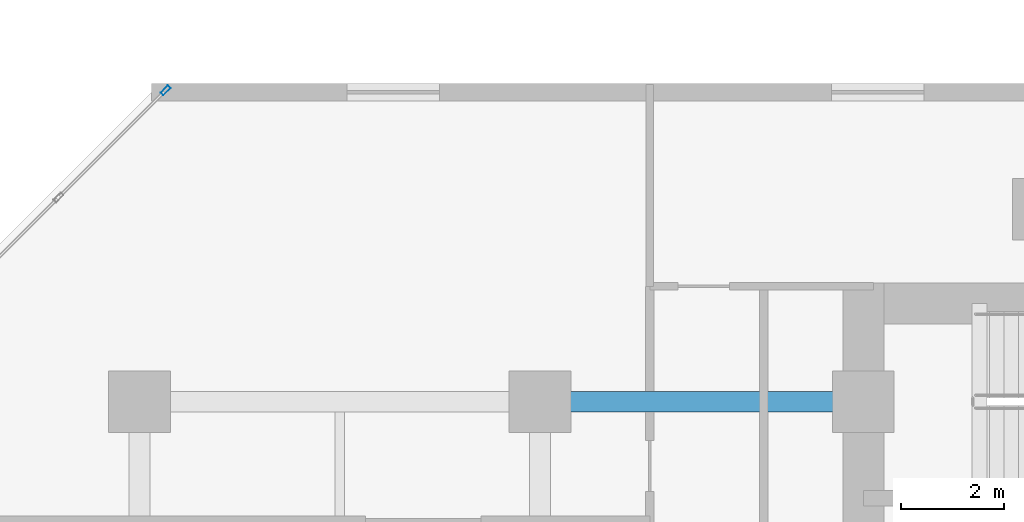
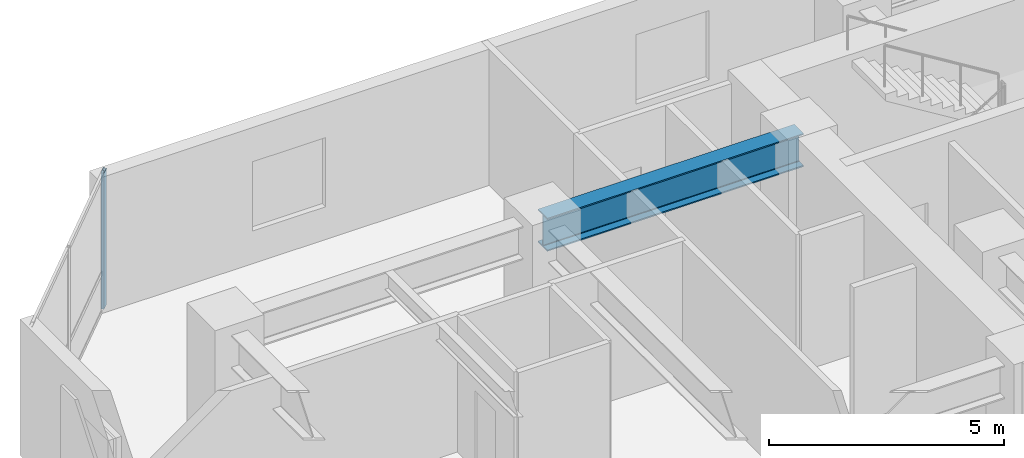
# One storey, part 4 of 12: 1 beam, 1 member, 1 element without a shape of its own.
"""IFC4 building model written with IfcOpenShell, lengths in metres."""

from ifc_helpers import new_model, si_unit, direction, frame, origin, origin_2d, place, context, subcontext, project, spatial, hollow_rectangle, i_section, extrude, material, layer, layer_set, material_profile, profile_set, type_object, element, aggregate, save


model = new_model("IFC4")

# Units and contexts
model_context = context("Model", 3, precision=1e-05, world=origin(), true_north=direction((0.0, 1.0)))
body_context = subcontext(model_context, "Body", "Model", "MODEL_VIEW")
ifc_project = project(units=[si_unit("LENGTHUNIT", "METRE"), si_unit("AREAUNIT", "SQUARE_METRE"), si_unit("VOLUMEUNIT", "CUBIC_METRE"), si_unit("PLANEANGLEUNIT", "RADIAN"), si_unit("MASSUNIT", "GRAM", prefix="KILO")], contexts=[model_context])

# Site, building, storey
site_placement = place(None, origin())
site = spatial("IfcSite", under=ifc_project, at=site_placement, CompositionType="ELEMENT")
building_placement = place(site_placement, origin())
building = spatial("IfcBuilding", under=site, at=building_placement, Name="Kestravale Grand Hotel", CompositionType="ELEMENT")
storey_placement = place(building_placement, frame((0.0, 0.0, 103.199951171875)))
storey = spatial("IfcBuildingStorey", under=building, at=storey_placement, Name="L25", CompositionType="ELEMENT", Elevation=103.199951171875)

# Beam
ifc_material_1 = material(Name="Steel ASTM A992 Grade 50", Category="steel")
ifc_material_profile_1 = material_profile(ifc_material_1, i_section(OverallWidth=0.40087890625, OverallDepth=0.861083984375, WebThickness=0.019775390625, FlangeThickness=0.032470703125, FilletRadius=0.0234375, at=origin_2d()))
ifc_profile_set_1 = profile_set([ifc_material_profile_1], Name="Steel ASTM A992 Grade 50")
beam_type = type_object("IfcBeamType", Name="B-GRD-W33", PredefinedType="BEAM", material=ifc_profile_set_1)
beam_placement = place(storey_placement, frame((15.60009765625, 38.39990234375, 3.109619140625), z_axis=(1.0, 0.0, 0.0), x_axis=(0.0, 1.0, 0.0)))
element("IfcBeam", 1, at=beam_placement, inside=storey, type_object=beam_type, Name="L25 girder F:3-CW", PredefinedType="BEAM", context=body_context, shape_type="SweptSolid", body=[
    extrude(i_section(OverallWidth=0.40087890625, OverallDepth=0.861083984375, WebThickness=0.019775390625, FlangeThickness=0.032470703125, FilletRadius=0.0234375, at=origin_2d()), origin(), (0.0, 0.0, 1.0), 6.2998046875),
])

# Curtain wall, member
ifc_material_2 = material(Name="Thermally broken champagne-bronze aluminium and low-E glazing", Category="aluminium")
ifc_layer = layer(ifc_material_2, 0.199951171875)
ifc_layer_set = layer_set([ifc_layer], Name="CW-Z2")
curtain_wall_type = type_object("IfcCurtainWallType", Name="CW-Z2", PredefinedType="NOTDEFINED", material=ifc_layer_set)
curtain_wall_placement = place(storey_placement, origin())
curtain_wall = element("IfcCurtainWall", 2, at=curtain_wall_placement, inside=storey, type_object=curtain_wall_type, Name="L25 unitised curtain wall 18", PredefinedType="NOTDEFINED")
ifc_material_3 = material(Name="Aluminium 6063-T6 anodised", Category="aluminium")
ifc_material_profile_2 = material_profile(ifc_material_3, hollow_rectangle(XDim=0.074951171875, YDim=0.199951171875, WallThickness=0.00390625, at=origin_2d()))
ifc_profile_set_2 = profile_set([ifc_material_profile_2], Name="Aluminium 6063-T6 anodised")
member_type = type_object("IfcMemberType", Name="CW-MUL-200", PredefinedType="MULLION", material=ifc_profile_set_2)
member_placement = place(storey_placement, frame((8.307861328125, 44.467529296875, 0.0), z_axis=(0.0, 0.0, 1.0), x_axis=(0.707106781187, -0.707106781187, 0.0)))
member = element("IfcMember", 3, at=member_placement, type_object=member_type, Name="CW-Z2 mullion 1", PredefinedType="MULLION", context=body_context, shape_type="SweptSolid", body=[
    extrude(hollow_rectangle(XDim=0.074951171875, YDim=0.199951171875, WallThickness=0.00390625, at=origin_2d()), origin(), (0.0, 0.0, 1.0), 3.5400390625),
])
aggregate(curtain_wall, [member])

save(model, "model.ifc")
